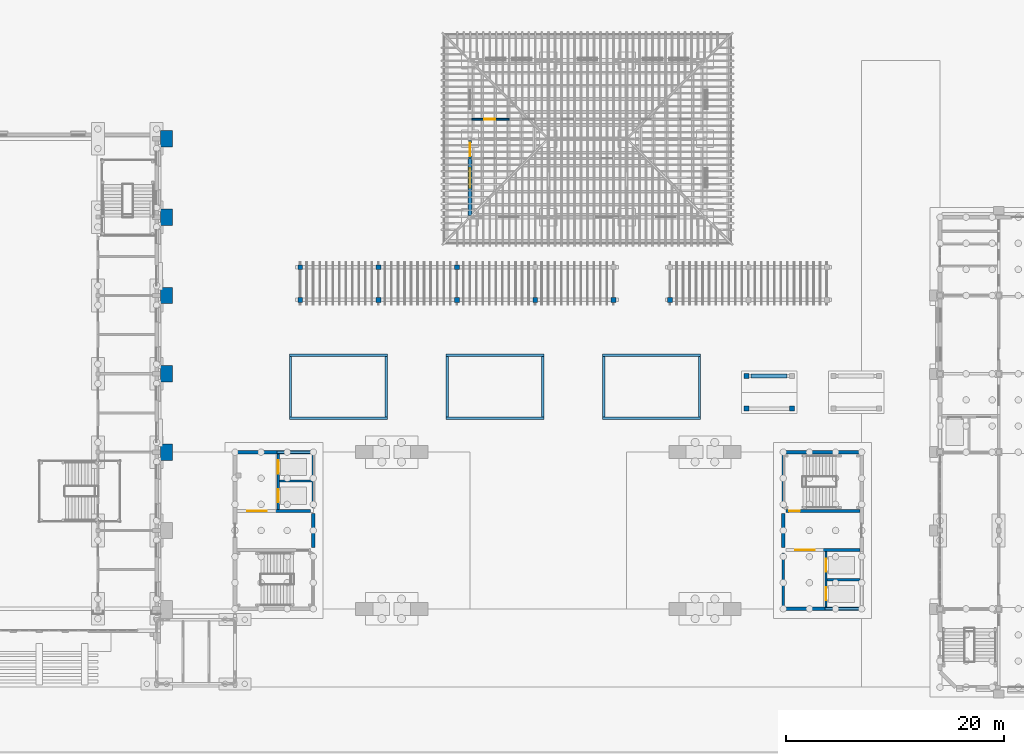
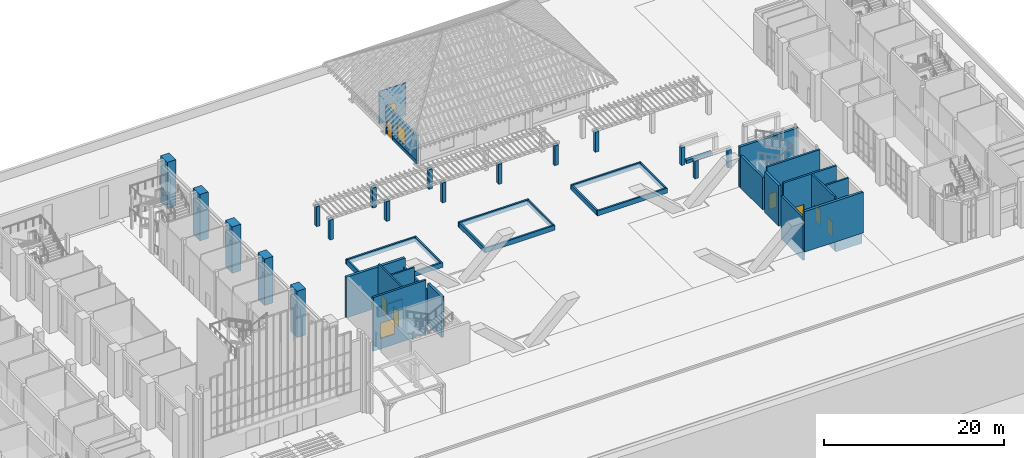
# One storey, part 39 of 84: 51 walls, 9 doors, 1 window, 10 openings.
"""IFC4 building model written with IfcOpenShell, lengths in metres."""

from ifc_helpers import new_model, si_unit, direction, frame, frame_2d, origin, place, context, subcontext, project, spatial, rectangle, extrude, material, layer, layer_set, type_object, element, fill, save


model = new_model("IFC4")

# Units and contexts
model_context = context("Model", 3, precision=1e-05, world=origin(), true_north=direction((0.0, 1.0)))
body_context = subcontext(model_context, "Body", "Model", "MODEL_VIEW")
ifc_project = project(units=[si_unit("LENGTHUNIT", "METRE"), si_unit("AREAUNIT", "SQUARE_METRE"), si_unit("VOLUMEUNIT", "CUBIC_METRE"), si_unit("PLANEANGLEUNIT", "RADIAN"), si_unit("MASSUNIT", "GRAM", prefix="KILO")], contexts=[model_context])

# Site, building, storey
site_placement = place(None, origin())
site = spatial("IfcSite", under=ifc_project, at=site_placement, CompositionType="ELEMENT")
building_placement = place(site_placement, origin())
building = spatial("IfcBuilding", under=site, at=building_placement, Name="Mazhai Court Health Centre", CompositionType="ELEMENT")
storey_placement = place(building_placement, origin())
storey = spatial("IfcBuildingStorey", under=building, at=storey_placement, Name="L00", CompositionType="ELEMENT", Elevation=0.0)

# Walls
ifc_material_1 = material(Name="Clay brick masonry", Category="masonry")
ifc_layer_1 = layer(ifc_material_1, 0.215087890625)
ifc_layer_set_1 = layer_set([ifc_layer_1], Name="BRICK BED WALL 215")
wall_type_1 = type_object("IfcWallType", Name="BRICK BED WALL 215", PredefinedType="SOLIDWALL", material=ifc_layer_set_1)
for number, where, z_axis, x_axis, name in (
    (1, (76.0, 30.907958984375, 0.0), (0.0, 0.0, 1.0), (1.0, 0.0, 0.0), "Planting bed 1 kerb s"),
    (2, (76.0, 36.69189453125, 0.0), (0.0, 0.0, 1.0), (1.0, 0.0, 0.0), "Planting bed 1 kerb n"),
):
    element("IfcWall", number, at=place(storey_placement, frame(where, z_axis=z_axis, x_axis=x_axis)), inside=storey, type_object=wall_type_1, Name=name, PredefinedType="SOLIDWALL", context=body_context, shape_type="SweptSolid", body=[
        extrude(rectangle(XDim=9.0, YDim=0.215087890625, at=frame_2d((4.5, 0.0))), origin(), (0.0, 0.0, 1.0), 0.64990234375),
    ])
for number, where, z_axis, x_axis, name in (
    (3, (76.10791015625, 31.014892578125, 0.0), (0.0, 0.0, 1.0), (0.0, 1.0, 0.0), "Planting bed 1 kerb w"),
    (4, (84.89208984375, 31.014892578125, 0.0), (0.0, 0.0, 1.0), (0.0, 1.0, 0.0), "Planting bed 1 kerb e"),
):
    element("IfcWall", number, at=place(storey_placement, frame(where, z_axis=z_axis, x_axis=x_axis)), inside=storey, type_object=wall_type_1, Name=name, PredefinedType="SOLIDWALL", context=body_context, shape_type="SweptSolid", body=[
        extrude(rectangle(XDim=5.570068359375, YDim=0.215087890625, at=frame_2d((2.78515625, 0.0))), origin(), (0.0, 0.0, 1.0), 0.64990234375),
    ])
for number, where, z_axis, x_axis, name in (
    (5, (90.39990234375, 30.907958984375, 0.0), (0.0, 0.0, 1.0), (1.0, 0.0, 0.0), "Planting bed 2 kerb s"),
    (6, (90.39990234375, 36.69189453125, 0.0), (0.0, 0.0, 1.0), (1.0, 0.0, 0.0), "Planting bed 2 kerb n"),
):
    element("IfcWall", number, at=place(storey_placement, frame(where, z_axis=z_axis, x_axis=x_axis)), inside=storey, type_object=wall_type_1, Name=name, PredefinedType="SOLIDWALL", context=body_context, shape_type="SweptSolid", body=[
        extrude(rectangle(XDim=9.0, YDim=0.215087890625, at=frame_2d((4.5, 0.0))), origin(), (0.0, 0.0, 1.0), 0.64990234375),
    ])
for number, where, z_axis, x_axis, name in (
    (7, (90.508056640625, 31.014892578125, 0.0), (0.0, 0.0, 1.0), (0.0, 1.0, 0.0), "Planting bed 2 kerb w"),
    (8, (99.29296875, 31.014892578125, 0.0), (0.0, 0.0, 1.0), (0.0, 1.0, 0.0), "Planting bed 2 kerb e"),
):
    element("IfcWall", number, at=place(storey_placement, frame(where, z_axis=z_axis, x_axis=x_axis)), inside=storey, type_object=wall_type_1, Name=name, PredefinedType="SOLIDWALL", context=body_context, shape_type="SweptSolid", body=[
        extrude(rectangle(XDim=5.570068359375, YDim=0.215087890625, at=frame_2d((2.78515625, 0.0))), origin(), (0.0, 0.0, 1.0), 0.64990234375),
    ])
for number, where, z_axis, x_axis, name in (
    (9, (104.800048828125, 30.907958984375, 0.0), (0.0, 0.0, 1.0), (1.0, 0.0, 0.0), "Planting bed 3 kerb s"),
    (10, (104.800048828125, 36.69189453125, 0.0), (0.0, 0.0, 1.0), (1.0, 0.0, 0.0), "Planting bed 3 kerb n"),
):
    element("IfcWall", number, at=place(storey_placement, frame(where, z_axis=z_axis, x_axis=x_axis)), inside=storey, type_object=wall_type_1, Name=name, PredefinedType="SOLIDWALL", context=body_context, shape_type="SweptSolid", body=[
        extrude(rectangle(XDim=9.0, YDim=0.215087890625, at=frame_2d((4.5, 0.0))), origin(), (0.0, 0.0, 1.0), 0.64990234375),
    ])
for number, where, z_axis, x_axis, name in (
    (11, (104.906982421875, 31.014892578125, 0.0), (0.0, 0.0, 1.0), (0.0, 1.0, 0.0), "Planting bed 3 kerb w"),
    (12, (113.69189453125, 31.014892578125, 0.0), (0.0, 0.0, 1.0), (0.0, 1.0, 0.0), "Planting bed 3 kerb e"),
):
    element("IfcWall", number, at=place(storey_placement, frame(where, z_axis=z_axis, x_axis=x_axis)), inside=storey, type_object=wall_type_1, Name=name, PredefinedType="SOLIDWALL", context=body_context, shape_type="SweptSolid", body=[
        extrude(rectangle(XDim=5.570068359375, YDim=0.215087890625, at=frame_2d((2.78515625, 0.0))), origin(), (0.0, 0.0, 1.0), 0.64990234375),
    ])
ifc_material_2 = material(Name="Clay brick masonry", Category="masonry")
ifc_layer_2 = layer(ifc_material_2, 1.10009765625)
ifc_layer_set_2 = layer_set([ifc_layer_2], Name="BRICK BUTTRESS PIER 1100")
wall_type_2 = type_object("IfcWallType", Name="BRICK BUTTRESS PIER 1100", PredefinedType="SOLIDWALL", material=ifc_layer_set_2)
for number, where, z_axis, x_axis, name in (
    (13, (64.7099609375, 28.550048828125, 0.0), (0.0, 0.0, 1.0), (0.0, -1.0, 0.0), "EP-V1-L00-E2"),
    (14, (64.7099609375, 35.75, 0.0), (0.0, 0.0, 1.0), (0.0, -1.0, 0.0), "EP-V1-L00-E3"),
    (15, (64.7099609375, 42.949951171875, 0.0), (0.0, 0.0, 1.0), (0.0, -1.0, 0.0), "EP-V1-L00-E4"),
    (16, (64.7099609375, 50.14990234375, 0.0), (0.0, 0.0, 1.0), (0.0, -1.0, 0.0), "EP-V1-L00-E5"),
    (17, (64.7099609375, 57.35009765625, 0.0), (0.0, 0.0, 1.0), (0.0, -1.0, 0.0), "EP-V1-L00-E6"),
):
    element("IfcWall", number, at=place(storey_placement, frame(where, z_axis=z_axis, x_axis=x_axis)), inside=storey, type_object=wall_type_2, Name=name, PredefinedType="SOLIDWALL", context=body_context, shape_type="SweptSolid", body=[
        extrude(rectangle(XDim=1.5, YDim=1.10009765625, at=frame_2d((0.75, 0.0))), origin(), (0.0, 0.0, 1.0), 6.300048828125),
    ])
ifc_material_3 = material(Name="Clay brick masonry", Category="masonry")
ifc_layer_3 = layer(ifc_material_3, 0.449951171875)
ifc_layer_set_3 = layer_set([ifc_layer_3], Name="BRICK GARDEN PIER 450")
wall_type_3 = type_object("IfcWallType", Name="BRICK GARDEN PIER 450", PredefinedType="SOLIDWALL", material=ifc_layer_set_3)
wall_1_placement = place(storey_placement, frame((117.77490234375, 31.800048828125, 0.0), z_axis=(0.0, 0.0, 1.0), x_axis=(1.0, 0.0, 0.0)))
element("IfcWall", 18, at=wall_1_placement, inside=storey, type_object=wall_type_3, Name="Shelter A pier 00", PredefinedType="SOLIDWALL", context=body_context, shape_type="SweptSolid", body=[
    extrude(rectangle(XDim=0.4501953125, YDim=0.449951171875, at=frame_2d((0.22509765625, 0.0))), origin(), (0.0, 0.0, 1.0), 2.39990234375),
])
wall_2_placement = place(storey_placement, frame((121.97509765625, 31.800048828125, 0.0), z_axis=(0.0, 0.0, 1.0), x_axis=(1.0, 0.0, 0.0)))
element("IfcWall", 19, at=wall_2_placement, inside=storey, type_object=wall_type_3, Name="Shelter A pier 01", PredefinedType="SOLIDWALL", context=body_context, shape_type="SweptSolid", body=[
    extrude(rectangle(XDim=0.449951171875, YDim=0.449951171875, at=frame_2d((0.22509765625, 0.0))), origin(), (0.0, 0.0, 1.0), 2.39990234375),
])
wall_3_placement = place(storey_placement, frame((117.77490234375, 34.800048828125, 0.0), z_axis=(0.0, 0.0, 1.0), x_axis=(1.0, 0.0, 0.0)))
element("IfcWall", 20, at=wall_3_placement, inside=storey, type_object=wall_type_3, Name="Shelter A pier 10", PredefinedType="SOLIDWALL", context=body_context, shape_type="SweptSolid", body=[
    extrude(rectangle(XDim=0.4501953125, YDim=0.449951171875, at=frame_2d((0.22509765625, 0.0))), origin(), (0.0, 0.0, 1.0), 2.39990234375),
])
wall_4_placement = place(storey_placement, frame((76.77490234375, 41.800048828125, 0.0), z_axis=(0.0, 0.0, 1.0), x_axis=(1.0, 0.0, 0.0)))
element("IfcWall", 21, at=wall_4_placement, inside=storey, type_object=wall_type_3, Name="Garden pier A00", PredefinedType="SOLIDWALL", context=body_context, shape_type="SweptSolid", body=[
    extrude(rectangle(XDim=0.4501953125, YDim=0.449951171875, at=frame_2d((0.22509765625, 0.0))), origin(), (0.0, 0.0, 1.0), 2.699951171875),
])
for number, where, z_axis, x_axis, name in (
    (22, (83.97509765625, 41.800048828125, 0.0), (0.0, 0.0, 1.0), (1.0, 0.0, 0.0), "Garden pier A01"),
    (23, (91.175048828125, 41.800048828125, 0.0), (0.0, 0.0, 1.0), (1.0, 0.0, 0.0), "Garden pier A02"),
    (24, (98.375, 41.800048828125, 0.0), (0.0, 0.0, 1.0), (1.0, 0.0, 0.0), "Garden pier A03"),
    (25, (105.574951171875, 41.800048828125, 0.0), (0.0, 0.0, 1.0), (1.0, 0.0, 0.0), "Garden pier A04"),
):
    element("IfcWall", number, at=place(storey_placement, frame(where, z_axis=z_axis, x_axis=x_axis)), inside=storey, type_object=wall_type_3, Name=name, PredefinedType="SOLIDWALL", context=body_context, shape_type="SweptSolid", body=[
        extrude(rectangle(XDim=0.449951171875, YDim=0.449951171875, at=frame_2d((0.22509765625, 0.0))), origin(), (0.0, 0.0, 1.0), 2.699951171875),
    ])
wall_5_placement = place(storey_placement, frame((76.77490234375, 44.800048828125, 0.0), z_axis=(0.0, 0.0, 1.0), x_axis=(1.0, 0.0, 0.0)))
element("IfcWall", 26, at=wall_5_placement, inside=storey, type_object=wall_type_3, Name="Garden pier A10", PredefinedType="SOLIDWALL", context=body_context, shape_type="SweptSolid", body=[
    extrude(rectangle(XDim=0.4501953125, YDim=0.449951171875, at=frame_2d((0.22509765625, 0.0))), origin(), (0.0, 0.0, 1.0), 2.699951171875),
])
for number, where, z_axis, x_axis, name in (
    (27, (83.97509765625, 44.800048828125, 0.0), (0.0, 0.0, 1.0), (1.0, 0.0, 0.0), "Garden pier A11"),
    (28, (91.175048828125, 44.800048828125, 0.0), (0.0, 0.0, 1.0), (1.0, 0.0, 0.0), "Garden pier A12"),
):
    element("IfcWall", number, at=place(storey_placement, frame(where, z_axis=z_axis, x_axis=x_axis)), inside=storey, type_object=wall_type_3, Name=name, PredefinedType="SOLIDWALL", context=body_context, shape_type="SweptSolid", body=[
        extrude(rectangle(XDim=0.449951171875, YDim=0.449951171875, at=frame_2d((0.22509765625, 0.0))), origin(), (0.0, 0.0, 1.0), 2.699951171875),
    ])
wall_6_placement = place(storey_placement, frame((110.77490234375, 41.800048828125, 0.0), z_axis=(0.0, 0.0, 1.0), x_axis=(1.0, 0.0, 0.0)))
element("IfcWall", 29, at=wall_6_placement, inside=storey, type_object=wall_type_3, Name="Garden pier B00", PredefinedType="SOLIDWALL", context=body_context, shape_type="SweptSolid", body=[
    extrude(rectangle(XDim=0.4501953125, YDim=0.449951171875, at=frame_2d((0.22509765625, 0.0))), origin(), (0.0, 0.0, 1.0), 2.699951171875),
])
ifc_material_4 = material(Name="Clay brick masonry", Category="masonry")
ifc_layer_4 = layer(ifc_material_4, 0.330078125)
ifc_layer_set_4 = layer_set([ifc_layer_4], Name="BRICK PLINTH 330")
wall_type_4 = type_object("IfcWallType", Name="BRICK PLINTH 330", PredefinedType="SOLIDWALL", material=ifc_layer_set_4)
wall_7_placement = place(storey_placement, frame((92.60009765625, 49.56005859375, 0.0), z_axis=(0.0, 0.0, 1.0), x_axis=(0.0, 1.0, 0.0)))
element("IfcWall", 30, at=wall_7_placement, inside=storey, type_object=wall_type_4, Name="EW-V3-W0-pl", PredefinedType="SOLIDWALL", context=body_context, shape_type="SweptSolid", body=[
    extrude(rectangle(XDim=5.239990234375, YDim=0.330078125, at=frame_2d((2.6201171875, 0.0))), origin(), (0.0, 0.0, 1.0), 0.449951171875),
])
ifc_material_5 = material(Name="Clay brick masonry", Category="masonry")
ifc_layer_5 = layer(ifc_material_5, 0.39990234375)
ifc_layer_set_5 = layer_set([ifc_layer_5], Name="BRICK SEAT WALL 400")
wall_type_5 = type_object("IfcWallType", Name="BRICK SEAT WALL 400", PredefinedType="SOLIDWALL", material=ifc_layer_set_5)
wall_8_placement = place(storey_placement, frame((118.449951171875, 34.800048828125, 0.0), z_axis=(0.0, 0.0, 1.0), x_axis=(1.0, 0.0, 0.0)))
element("IfcWall", 31, at=wall_8_placement, inside=storey, type_object=wall_type_5, Name="Shelter A seat wall", PredefinedType="SOLIDWALL", context=body_context, shape_type="SweptSolid", body=[
    extrude(rectangle(XDim=3.300048828125, YDim=0.39990234375, at=frame_2d((1.64990234375, 0.0))), origin(), (0.0, 0.0, 1.0), 0.449951171875),
])
ifc_material_6 = material(Name="Clay brick masonry", Category="masonry")
ifc_layer_6 = layer(ifc_material_6, 0.330078125)
ifc_layer_set_6 = layer_set([ifc_layer_6], Name="BRICK WALL 330 EXTERNAL")
wall_type_6 = type_object("IfcWallType", Name="BRICK WALL 330 EXTERNAL", PredefinedType="SOLIDWALL", material=ifc_layer_set_6)
wall_9_placement = place(storey_placement, frame((70.8349609375, 27.800048828125, 0.0), z_axis=(0.0, 0.0, 1.0), x_axis=(1.0, 0.0, 0.0)))
element("IfcWall", 32, at=wall_9_placement, inside=storey, type_object=wall_type_6, Name="EW-V4-L00-B0", PredefinedType="SOLIDWALL", context=body_context, shape_type="SweptSolid", body=[
    extrude(rectangle(XDim=7.530029296875, YDim=0.330078125, at=frame_2d((3.76513671875, 0.0))), origin(), (0.0, 0.0, 1.0), 5.5),
])
wall_10_placement = place(storey_placement, frame((78.199951171875, 19.050048828125, 0.0), z_axis=(0.0, 0.0, 1.0), x_axis=(0.0, 1.0, 0.0)))
element("IfcWall", 33, at=wall_10_placement, inside=storey, type_object=wall_type_6, Name="EW-V4-L00-E0b", PredefinedType="SOLIDWALL", context=body_context, shape_type="SweptSolid", body=[
    extrude(rectangle(XDim=3.099853515625, YDim=0.330078125, at=frame_2d((1.5498046875, 0.0))), origin(), (0.0, 0.0, 1.0), 5.5),
])
for number, where, z_axis, x_axis, name in (
    (34, (121.235107421875, 13.39990234375, 0.0), (0.0, 0.0, 1.0), (1.0, 0.0, 0.0), "EW-V4-L00-A7"),
    (35, (121.235107421875, 27.800048828125, 0.0), (0.0, 0.0, 1.0), (1.0, 0.0, 0.0), "EW-V4-L00-B7"),
):
    element("IfcWall", number, at=place(storey_placement, frame(where, z_axis=z_axis, x_axis=x_axis)), inside=storey, type_object=wall_type_6, Name=name, PredefinedType="SOLIDWALL", context=body_context, shape_type="SweptSolid", body=[
        extrude(rectangle(XDim=7.52978515625, YDim=0.330078125, at=frame_2d((3.764892578125, 0.0))), origin(), (0.0, 0.0, 1.0), 5.5),
    ])
wall_11_placement = place(storey_placement, frame((121.39990234375, 19.050048828125, 0.0), z_axis=(0.0, 0.0, 1.0), x_axis=(0.0, 1.0, 0.0)))
element("IfcWall", 36, at=wall_11_placement, inside=storey, type_object=wall_type_6, Name="EW-V4-L00-E7a", PredefinedType="SOLIDWALL", context=body_context, shape_type="SweptSolid", body=[
    extrude(rectangle(XDim=3.099853515625, YDim=0.330078125, at=frame_2d((1.5498046875, 0.0))), origin(), (0.0, 0.0, 1.0), 5.5),
])

# Wall, opening, door
ifc_material_7 = material(Name="Gypsum plasterboard partition")
ifc_layer_7 = layer(ifc_material_7, 0.14990234375)
ifc_layer_set_7 = layer_set([ifc_layer_7], Name="PARTITION 150 CORRIDOR EI60")
wall_type_7 = type_object("IfcWallType", Name="PARTITION 150 CORRIDOR EI60", PredefinedType="PARTITIONING", material=ifc_layer_set_7)
wall_12_placement = place(storey_placement, frame((92.764892578125, 58.39990234375, 0.0), z_axis=(0.0, 0.0, 1.0), x_axis=(1.0, 0.0, 0.0)))
wall_12 = element("IfcWall", 37, at=wall_12_placement, inside=storey, type_object=wall_type_7, Name="wall-V3-L00-N-corr-0a", PredefinedType="PARTITIONING", context=body_context, shape_type="SweptSolid", body=[
    extrude(rectangle(XDim=3.43505859375, YDim=0.14990234375, at=frame_2d((1.717529296875, 0.0))), origin(), (0.0, 0.0, 1.0), 4.38232421875),
])
opening_1_placement = place(wall_12_placement, frame((1.135009765625, 0.0, 0.0)))
opening_1 = element("IfcOpeningElement", 38, at=opening_1_placement, cuts=wall_12, Name="Opening D-L00-069", PredefinedType="OPENING", context=body_context, shape_type="SweptSolid", body=[
    extrude(rectangle(XDim=1.0, YDim=2.10009765625, at=frame_2d((0.5, 1.050048828125))), frame((0.0, 0.0849609375, 0.0), z_axis=(0.0, -1.0, 0.0), x_axis=(1.0, 0.0, 0.0)), (0.0, 0.0, 1.0), 0.169921875),
])
ifc_material_8 = material(Name="Hardwood door leaf", Category="wood")
door_type_1 = type_object("IfcDoorType", Name="DOOR 1000x2100 FD30S SINGLE", OperationType="NOTDEFINED", PredefinedType="DOOR", material=ifc_material_8)
door_1_placement = place(opening_1_placement, origin())
door_1 = element("IfcDoor", 39, at=door_1_placement, inside=storey, type_object=door_type_1, Name="door-V3-L00-N-quiet-room-1", OperationType="SINGLE_SWING_LEFT", OverallHeight=2.10009765625, OverallWidth=1.0, PredefinedType="DOOR", context=body_context, shape_type="SweptSolid", body=[
    extrude(rectangle(XDim=1.0, YDim=2.10009765625, at=frame_2d((0.5, 1.050048828125))), frame((0.0, 0.02490234375, 0.0), z_axis=(0.0, -1.0, 0.0), x_axis=(1.0, 0.0, 0.0)), (0.0, 0.0, 1.0), 0.050048828125),
])
fill(opening_1, door_1)

ifc_material_9 = material(Name="Concrete M40", Category="concrete")
ifc_layer_8 = layer(ifc_material_9, 0.25)
ifc_layer_set_8 = layer_set([ifc_layer_8], Name="RC CORE WALL 250 M40")
wall_type_8 = type_object("IfcWallType", Name="RC CORE WALL 250 M40", PredefinedType="SHEAR", material=ifc_layer_set_8)
wall_13_placement = place(storey_placement, frame((71.1650390625, 22.39990234375, -1.39990234375), z_axis=(0.0, 0.0, 1.0), x_axis=(1.0, 0.0, 0.0)))
wall_13 = element("IfcWall", 40, at=wall_13_placement, inside=storey, type_object=wall_type_8, Name="core-C6-w-other-corr-L00", PredefinedType="SHEAR", context=body_context, shape_type="SweptSolid", body=[
    extrude(rectangle(XDim=6.784912109375, YDim=0.25, at=frame_2d((3.392578125, 0.0))), origin(), (0.0, 0.0, 1.0), 7.2998046875),
])
opening_2_placement = place(wall_13_placement, frame((0.955078125, 0.0, 1.39990234375)))
opening_2 = element("IfcOpeningElement", 41, at=opening_2_placement, cuts=wall_13, Name="Opening D-L00-065", PredefinedType="OPENING", context=body_context, shape_type="SweptSolid", body=[
    extrude(rectangle(XDim=1.800048828125, YDim=2.10009765625, at=frame_2d((0.89990234375, 1.050048828125))), frame((0.0, 0.135009765625, 0.0), z_axis=(0.0, -1.0, 0.0), x_axis=(1.0, 0.0, 0.0)), (0.0, 0.0, 1.0), 0.27001953125),
])
ifc_material_10 = material(Name="Steel fire door leaf", Category="steel")
door_type_2 = type_object("IfcDoorType", Name="FD60S LIFT LOBBY DOOR 1800x2100", OperationType="DOUBLE_DOOR_SINGLE_SWING", PredefinedType="DOOR", material=ifc_material_10)
door_2_placement = place(opening_2_placement, origin())
door_2 = element("IfcDoor", 42, at=door_2_placement, inside=storey, type_object=door_type_2, Name="Lift lobby door L00", OperationType="DOUBLE_DOOR_SINGLE_SWING", OverallHeight=2.10009765625, OverallWidth=1.800048828125, PredefinedType="DOOR", context=body_context, shape_type="SweptSolid", body=[
    extrude(rectangle(XDim=1.800048828125, YDim=2.10009765625, at=frame_2d((0.89990234375, 1.050048828125))), frame((0.0, 0.02490234375, 0.0), z_axis=(0.0, -1.0, 0.0), x_axis=(1.0, 0.0, 0.0)), (0.0, 0.0, 1.0), 0.050048828125),
])
fill(opening_2, door_2)

# Walls
wall_14_placement = place(storey_placement, frame((78.199951171875, 22.64990234375, -1.39990234375), z_axis=(0.0, 0.0, 1.0), x_axis=(0.0, 1.0, 0.0)))
element("IfcWall", 43, at=wall_14_placement, inside=storey, type_object=wall_type_8, Name="core-C6-w-other-line0-L00", PredefinedType="SHEAR", context=body_context, shape_type="SweptSolid", body=[
    extrude(rectangle(XDim=4.900146484375, YDim=0.25, at=frame_2d((2.4501953125, 0.0))), origin(), (0.0, 0.0, 1.0), 5.7998046875),
])
wall_15_placement = place(storey_placement, frame((74.875, 27.800048828125, -1.39990234375), z_axis=(0.0, 0.0, 1.0), x_axis=(1.0, 0.0, 0.0)))
element("IfcWall", 44, at=wall_15_placement, inside=storey, type_object=wall_type_8, Name="core-C6-w-pit-facade", PredefinedType="SHEAR", context=body_context, shape_type="SweptSolid", body=[
    extrude(rectangle(XDim=3.199951171875, YDim=0.25, at=frame_2d((1.60009765625, 0.0))), origin(), (0.0, 0.0, 1.0), 1.39990234375),
])

# Wall, opening, door
wall_16_placement = place(storey_placement, frame((121.64990234375, 22.39990234375, 0.0), z_axis=(0.0, 0.0, 1.0), x_axis=(1.0, 0.0, 0.0)))
wall_16 = element("IfcWall", 45, at=wall_16_placement, inside=storey, type_object=wall_type_8, Name="core-C7-w-stair-corr-L00", PredefinedType="SHEAR", context=body_context, shape_type="SweptSolid", body=[
    extrude(rectangle(XDim=6.78515625, YDim=0.25, at=frame_2d((3.392578125, 0.0))), origin(), (0.0, 0.0, 1.0), 5.89990234375),
])
opening_3_placement = place(wall_16_placement, frame((0.27490234375, 0.0, 0.0)))
opening_3 = element("IfcOpeningElement", 46, at=opening_3_placement, cuts=wall_16, Name="Opening D-L00-076", PredefinedType="OPENING", context=body_context, shape_type="SweptSolid", body=[
    extrude(rectangle(XDim=1.0, YDim=2.10009765625, at=frame_2d((0.5, 1.050048828125))), frame((0.0, 0.135009765625, 0.0), z_axis=(0.0, -1.0, 0.0), x_axis=(1.0, 0.0, 0.0)), (0.0, 0.0, 1.0), 0.27001953125),
])
ifc_material_11 = material(Name="Steel fire door leaf", Category="steel")
door_type_3 = type_object("IfcDoorType", Name="FD120S STAIR DOOR 1000x2100", OperationType="SINGLE_SWING_LEFT", PredefinedType="DOOR", material=ifc_material_11)
door_3_placement = place(opening_3_placement, origin())
door_3 = element("IfcDoor", 47, at=door_3_placement, inside=storey, type_object=door_type_3, Name="Stair 7 door L00", OperationType="SINGLE_SWING_RIGHT", OverallHeight=2.10009765625, OverallWidth=1.0, PredefinedType="DOOR", context=body_context, shape_type="SweptSolid", body=[
    extrude(rectangle(XDim=1.0, YDim=2.10009765625, at=frame_2d((0.5, 1.050048828125))), frame((0.0, 0.02490234375, 0.0), z_axis=(0.0, -1.0, 0.0), x_axis=(1.0, 0.0, 0.0)), (0.0, 0.0, 1.0), 0.050048828125),
])
fill(opening_3, door_3)

# Wall
wall_17_placement = place(storey_placement, frame((121.39990234375, 22.64990234375, 0.0), z_axis=(0.0, 0.0, 1.0), x_axis=(0.0, 1.0, 0.0)))
element("IfcWall", 48, at=wall_17_placement, inside=storey, type_object=wall_type_8, Name="core-C7-w-stair-line0-L00", PredefinedType="SHEAR", context=body_context, shape_type="SweptSolid", body=[
    extrude(rectangle(XDim=4.900146484375, YDim=0.25, at=frame_2d((2.4501953125, 0.0))), origin(), (0.0, 0.0, 1.0), 4.39990234375),
])

# Wall, opening, door
wall_18_placement = place(storey_placement, frame((121.64990234375, 18.800048828125, -1.39990234375), z_axis=(0.0, 0.0, 1.0), x_axis=(1.0, 0.0, 0.0)))
wall_18 = element("IfcWall", 49, at=wall_18_placement, inside=storey, type_object=wall_type_8, Name="core-C7-w-other-corr-L00", PredefinedType="SHEAR", context=body_context, shape_type="SweptSolid", body=[
    extrude(rectangle(XDim=6.78515625, YDim=0.25, at=frame_2d((3.392578125, 0.0))), origin(), (0.0, 0.0, 1.0), 7.2998046875),
])
opening_4_placement = place(wall_18_placement, frame((0.830078125, 0.0, 1.39990234375)))
opening_4 = element("IfcOpeningElement", 50, at=opening_4_placement, cuts=wall_18, Name="Opening D-L00-077", PredefinedType="OPENING", context=body_context, shape_type="SweptSolid", body=[
    extrude(rectangle(XDim=1.800048828125, YDim=2.10009765625, at=frame_2d((0.89990234375, 1.050048828125))), frame((0.0, 0.135009765625, 0.0), z_axis=(0.0, -1.0, 0.0), x_axis=(1.0, 0.0, 0.0)), (0.0, 0.0, 1.0), 0.27001953125),
])
door_4_placement = place(opening_4_placement, origin())
door_4 = element("IfcDoor", 51, at=door_4_placement, inside=storey, type_object=door_type_2, Name="Lift lobby door L00", OperationType="DOUBLE_DOOR_SINGLE_SWING", OverallHeight=2.10009765625, OverallWidth=1.800048828125, PredefinedType="DOOR", context=body_context, shape_type="SweptSolid", body=[
    extrude(rectangle(XDim=1.800048828125, YDim=2.10009765625, at=frame_2d((0.89990234375, 1.050048828125))), frame((0.0, 0.02490234375, 0.0), z_axis=(0.0, -1.0, 0.0), x_axis=(1.0, 0.0, 0.0)), (0.0, 0.0, 1.0), 0.050048828125),
])
fill(opening_4, door_4)

# Walls
wall_19_placement = place(storey_placement, frame((121.39990234375, 13.64990234375, -1.39990234375), z_axis=(0.0, 0.0, 1.0), x_axis=(0.0, 1.0, 0.0)))
element("IfcWall", 52, at=wall_19_placement, inside=storey, type_object=wall_type_8, Name="core-C7-w-other-line0-L00", PredefinedType="SHEAR", context=body_context, shape_type="SweptSolid", body=[
    extrude(rectangle(XDim=4.900146484375, YDim=0.25, at=frame_2d((2.4501953125, 0.0))), origin(), (0.0, 0.0, 1.0), 5.7998046875),
])
wall_20_placement = place(storey_placement, frame((125.235107421875, 13.39990234375, -1.39990234375), z_axis=(0.0, 0.0, 1.0), x_axis=(1.0, 0.0, 0.0)))
element("IfcWall", 53, at=wall_20_placement, inside=storey, type_object=wall_type_8, Name="core-C7-w-pit-facade", PredefinedType="SHEAR", context=body_context, shape_type="SweptSolid", body=[
    extrude(rectangle(XDim=3.364990234375, YDim=0.25, at=frame_2d((1.6826171875, 0.0))), origin(), (0.0, 0.0, 1.0), 1.39990234375),
])

# Wall, openings, doors
ifc_material_12 = material(Name="Concrete M40", Category="concrete")
ifc_layer_9 = layer(ifc_material_12, 0.199951171875)
ifc_layer_set_9 = layer_set([ifc_layer_9], Name="RC SHAFT WALL 200 M40")
wall_type_9 = type_object("IfcWallType", Name="RC SHAFT WALL 200 M40", PredefinedType="SHEAR", material=ifc_layer_set_9)
wall_21_placement = place(storey_placement, frame((74.97509765625, 22.52490234375, -1.39990234375), z_axis=(0.0, 0.0, 1.0), x_axis=(0.0, 1.0, 0.0)))
wall_21 = element("IfcWall", 54, at=wall_21_placement, inside=storey, type_object=wall_type_9, Name="core-C6-w-front-L00", PredefinedType="SHEAR", context=body_context, shape_type="SweptSolid", body=[
    extrude(rectangle(XDim=5.110107421875, YDim=0.199951171875, at=frame_2d((2.55517578125, 0.0))), origin(), (0.0, 0.0, 1.0), 7.2998046875),
])
opening_5_placement = place(wall_21_placement, frame((3.31005859375, 0.0, 1.39990234375)))
opening_5 = element("IfcOpeningElement", 55, at=opening_5_placement, cuts=wall_21, Name="Opening LD5-L00", PredefinedType="OPENING", context=body_context, shape_type="SweptSolid", body=[
    extrude(rectangle(XDim=1.199951171875, YDim=2.10009765625, at=frame_2d((0.60009765625, 1.050048828125))), frame((0.0, 0.10986328125, 0.0), z_axis=(0.0, -1.0, 0.0), x_axis=(1.0, 0.0, 0.0)), (0.0, 0.0, 1.0), 0.219970703125),
])
opening_6_placement = place(wall_21_placement, frame((0.655029296875, 0.0, 1.39990234375)))
opening_6 = element("IfcOpeningElement", 56, at=opening_6_placement, cuts=wall_21, Name="Opening LD6-L00", PredefinedType="OPENING", context=body_context, shape_type="SweptSolid", body=[
    extrude(rectangle(XDim=1.199951171875, YDim=2.10009765625, at=frame_2d((0.60009765625, 1.050048828125))), frame((0.0, 0.10986328125, 0.0), z_axis=(0.0, -1.0, 0.0), x_axis=(1.0, 0.0, 0.0)), (0.0, 0.0, 1.0), 0.219970703125),
])
ifc_material_13 = material(Name="Stainless steel lift door", Category="steel")
door_type_4 = type_object("IfcDoorType", Name="LIFT LANDING DOOR 1200x2100", OperationType="DOUBLE_DOOR_SLIDING", PredefinedType="DOOR", material=ifc_material_13)
door_5_placement = place(opening_5_placement, origin())
door_5 = element("IfcDoor", 57, at=door_5_placement, inside=storey, type_object=door_type_4, Name="Landing door LD5 L00", OperationType="DOUBLE_DOOR_SLIDING", OverallHeight=2.10009765625, OverallWidth=1.199951171875, PredefinedType="DOOR", context=body_context, shape_type="SweptSolid", body=[
    extrude(rectangle(XDim=1.199951171875, YDim=2.10009765625, at=frame_2d((0.60009765625, 1.050048828125))), frame((0.0, 0.02490234375, 0.0), z_axis=(0.0, -1.0, 0.0), x_axis=(1.0, 0.0, 0.0)), (0.0, 0.0, 1.0), 0.050048828125),
])
fill(opening_5, door_5)
door_6_placement = place(opening_6_placement, origin())
door_6 = element("IfcDoor", 58, at=door_6_placement, inside=storey, type_object=door_type_4, Name="Landing door LD6 L00", OperationType="DOUBLE_DOOR_SLIDING", OverallHeight=2.10009765625, OverallWidth=1.199951171875, PredefinedType="DOOR", context=body_context, shape_type="SweptSolid", body=[
    extrude(rectangle(XDim=1.199951171875, YDim=2.10009765625, at=frame_2d((0.60009765625, 1.050048828125))), frame((0.0, 0.02490234375, 0.0), z_axis=(0.0, -1.0, 0.0), x_axis=(1.0, 0.0, 0.0)), (0.0, 0.0, 1.0), 0.050048828125),
])
fill(opening_6, door_6)

# Wall
wall_22_placement = place(storey_placement, frame((78.074951171875, 25.135009765625, -1.39990234375), z_axis=(0.0, 0.0, 1.0), x_axis=(-1.0, 0.0, 0.0)))
element("IfcWall", 59, at=wall_22_placement, inside=storey, type_object=wall_type_9, Name="core-C6-w-divider0-L00", PredefinedType="SHEAR", context=body_context, shape_type="SweptSolid", body=[
    extrude(rectangle(XDim=3.0, YDim=0.199951171875, at=frame_2d((1.5, 0.0))), origin(), (0.0, 0.0, 1.0), 7.2998046875),
])

# Wall, openings, doors
wall_23_placement = place(storey_placement, frame((125.3349609375, 13.56494140625, -1.39990234375), z_axis=(0.0, 0.0, 1.0), x_axis=(0.0, 1.0, 0.0)))
wall_23 = element("IfcWall", 60, at=wall_23_placement, inside=storey, type_object=wall_type_9, Name="core-C7-w-front-L00", PredefinedType="SHEAR", context=body_context, shape_type="SweptSolid", body=[
    extrude(rectangle(XDim=5.110107421875, YDim=0.199951171875, at=frame_2d((2.55517578125, 0.0))), origin(), (0.0, 0.0, 1.0), 7.2998046875),
])
opening_7_placement = place(wall_23_placement, frame((0.60009765625, 0.0, 1.39990234375)))
opening_7 = element("IfcOpeningElement", 61, at=opening_7_placement, cuts=wall_23, Name="Opening LD7-L00", PredefinedType="OPENING", context=body_context, shape_type="SweptSolid", body=[
    extrude(rectangle(XDim=1.199951171875, YDim=2.10009765625, at=frame_2d((0.60009765625, 1.050048828125))), frame((0.0, 0.10986328125, 0.0), z_axis=(0.0, -1.0, 0.0), x_axis=(1.0, 0.0, 0.0)), (0.0, 0.0, 1.0), 0.219970703125),
])
opening_8_placement = place(wall_23_placement, frame((3.2548828125, 0.0, 1.39990234375)))
opening_8 = element("IfcOpeningElement", 62, at=opening_8_placement, cuts=wall_23, Name="Opening LD8-L00", PredefinedType="OPENING", context=body_context, shape_type="SweptSolid", body=[
    extrude(rectangle(XDim=1.199951171875, YDim=2.10009765625, at=frame_2d((0.60009765625, 1.050048828125))), frame((0.0, 0.10986328125, 0.0), z_axis=(0.0, -1.0, 0.0), x_axis=(1.0, 0.0, 0.0)), (0.0, 0.0, 1.0), 0.219970703125),
])
door_7_placement = place(opening_7_placement, origin())
door_7 = element("IfcDoor", 63, at=door_7_placement, inside=storey, type_object=door_type_4, Name="Landing door LD7 L00", OperationType="DOUBLE_DOOR_SLIDING", OverallHeight=2.10009765625, OverallWidth=1.199951171875, PredefinedType="DOOR", context=body_context, shape_type="SweptSolid", body=[
    extrude(rectangle(XDim=1.199951171875, YDim=2.10009765625, at=frame_2d((0.60009765625, 1.050048828125))), frame((0.0, 0.02490234375, 0.0), z_axis=(0.0, -1.0, 0.0), x_axis=(1.0, 0.0, 0.0)), (0.0, 0.0, 1.0), 0.050048828125),
])
fill(opening_7, door_7)
door_8_placement = place(opening_8_placement, origin())
door_8 = element("IfcDoor", 64, at=door_8_placement, inside=storey, type_object=door_type_4, Name="Landing door LD8 L00", OperationType="DOUBLE_DOOR_SLIDING", OverallHeight=2.10009765625, OverallWidth=1.199951171875, PredefinedType="DOOR", context=body_context, shape_type="SweptSolid", body=[
    extrude(rectangle(XDim=1.199951171875, YDim=2.10009765625, at=frame_2d((0.60009765625, 1.050048828125))), frame((0.0, 0.02490234375, 0.0), z_axis=(0.0, -1.0, 0.0), x_axis=(1.0, 0.0, 0.0)), (0.0, 0.0, 1.0), 0.050048828125),
])
fill(opening_8, door_8)

# Wall
wall_24_placement = place(storey_placement, frame((128.43505859375, 16.06494140625, -1.39990234375), z_axis=(0.0, 0.0, 1.0), x_axis=(-1.0, 0.0, 0.0)))
element("IfcWall", 65, at=wall_24_placement, inside=storey, type_object=wall_type_9, Name="core-C7-w-divider0-L00", PredefinedType="SHEAR", context=body_context, shape_type="SweptSolid", body=[
    extrude(rectangle(XDim=3.0, YDim=0.199951171875, at=frame_2d((1.5, 0.0))), origin(), (0.0, 0.0, 1.0), 7.2998046875),
])

# Wall, opening, window
ifc_material_14 = material(Name="Teak timber cladding on timber frame", Category="wood")
ifc_layer_10 = layer(ifc_material_14, 0.300048828125)
ifc_layer_set_10 = layer_set([ifc_layer_10], Name="TIMBER CLAD WALL 300")
wall_type_10 = type_object("IfcWallType", Name="TIMBER CLAD WALL 300", PredefinedType="PARTITIONING", material=ifc_layer_set_10)
wall_25_placement = place(storey_placement, frame((92.60009765625, 49.56005859375, 0.449951171875), z_axis=(0.0, 0.0, 1.0), x_axis=(0.0, 1.0, 0.0)))
wall_25 = element("IfcWall", 66, at=wall_25_placement, inside=storey, type_object=wall_type_10, Name="EW-V3-W0", PredefinedType="PARTITIONING", context=body_context, shape_type="SweptSolid", body=[
    extrude(rectangle(XDim=5.239990234375, YDim=0.300048828125, at=frame_2d((2.6201171875, 0.0))), origin(), (0.0, 0.0, 1.0), 3.35009765625),
])
opening_9_placement = place(wall_25_placement, frame((2.5400390625, 0.0, 0.449951171875)))
opening_9 = element("IfcOpeningElement", 67, at=opening_9_placement, cuts=wall_25, Name="Opening W6", PredefinedType="OPENING", context=body_context, shape_type="SweptSolid", body=[
    extrude(rectangle(XDim=1.800048828125, YDim=2.10009765625, at=frame_2d((0.89990234375, 1.050048828125))), frame((0.0, 0.159912109375, 0.0), z_axis=(0.0, -1.0, 0.0), x_axis=(1.0, 0.0, 0.0)), (0.0, 0.0, 1.0), 0.320068359375),
])
ifc_material_15 = material(Name="Teak timber frame, glazed", Category="wood")
window_type = type_object("IfcWindowType", Name="WINDOW PAVILION 1800x2100", PartitioningType="SINGLE_PANEL", PredefinedType="WINDOW", material=ifc_material_15)
window_placement = place(opening_9_placement, origin())
window = element("IfcWindow", 68, at=window_placement, inside=storey, type_object=window_type, Name="W6 WN-V3-W0", OverallHeight=2.10009765625, OverallWidth=1.800048828125, PartitioningType="SINGLE_PANEL", PredefinedType="WINDOW", context=body_context, shape_type="SweptSolid", body=[
    extrude(rectangle(XDim=1.800048828125, YDim=2.10009765625, at=frame_2d((0.89990234375, 1.050048828125))), frame((0.0, 0.030029296875, 0.0), z_axis=(0.0, -1.0, 0.0), x_axis=(1.0, 0.0, 0.0)), (0.0, 0.0, 1.0), 0.06005859375),
])
fill(opening_9, window)

# Wall, opening, door
wall_26_placement = place(storey_placement, frame((92.60009765625, 54.800048828125, 0.0), z_axis=(0.0, 0.0, 1.0), x_axis=(0.0, 1.0, 0.0)))
wall_26 = element("IfcWall", 69, at=wall_26_placement, inside=storey, type_object=wall_type_10, Name="EW-V3-W0x", PredefinedType="PARTITIONING", context=body_context, shape_type="SweptSolid", body=[
    extrude(rectangle(XDim=1.639892578125, YDim=0.300048828125, at=frame_2d((0.81982421875, 0.0))), origin(), (0.0, 0.0, 1.0), 3.800048828125),
])
opening_10_placement = place(wall_26_placement, frame((0.219970703125, 0.0, 0.0)))
opening_10 = element("IfcOpeningElement", 70, at=opening_10_placement, cuts=wall_26, Name="Opening D-L00-067", PredefinedType="OPENING", context=body_context, shape_type="SweptSolid", body=[
    extrude(rectangle(XDim=1.199951171875, YDim=2.10009765625, at=frame_2d((0.60009765625, 1.050048828125))), frame((0.0, 0.159912109375, 0.0), z_axis=(0.0, -1.0, 0.0), x_axis=(1.0, 0.0, 0.0)), (0.0, 0.0, 1.0), 0.320068359375),
])
ifc_material_16 = material(Name="Teak timber door, glazed", Category="wood")
door_type_5 = type_object("IfcDoorType", Name="DOOR FIRE EXIT 1200x2100", OperationType="SINGLE_SWING_LEFT", PredefinedType="DOOR", material=ifc_material_16)
door_9_placement = place(opening_10_placement, origin())
door_9 = element("IfcDoor", 71, at=door_9_placement, inside=storey, type_object=door_type_5, Name="L00-E18", OperationType="SINGLE_SWING_LEFT", OverallHeight=2.10009765625, OverallWidth=1.199951171875, PredefinedType="DOOR", context=body_context, shape_type="SweptSolid", body=[
    extrude(rectangle(XDim=1.199951171875, YDim=2.10009765625, at=frame_2d((0.60009765625, 1.050048828125))), frame((0.0, 0.02490234375, 0.0), z_axis=(0.0, -1.0, 0.0), x_axis=(1.0, 0.0, 0.0)), (0.0, 0.0, 1.0), 0.050048828125),
])
fill(opening_10, door_9)

save(model, "model.ifc")
